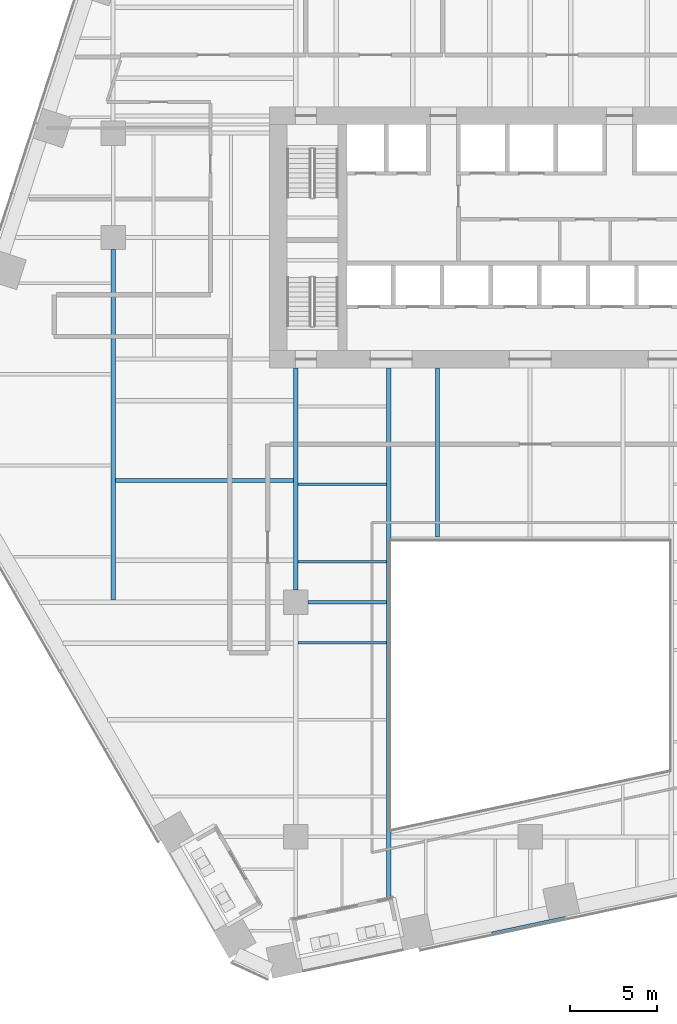
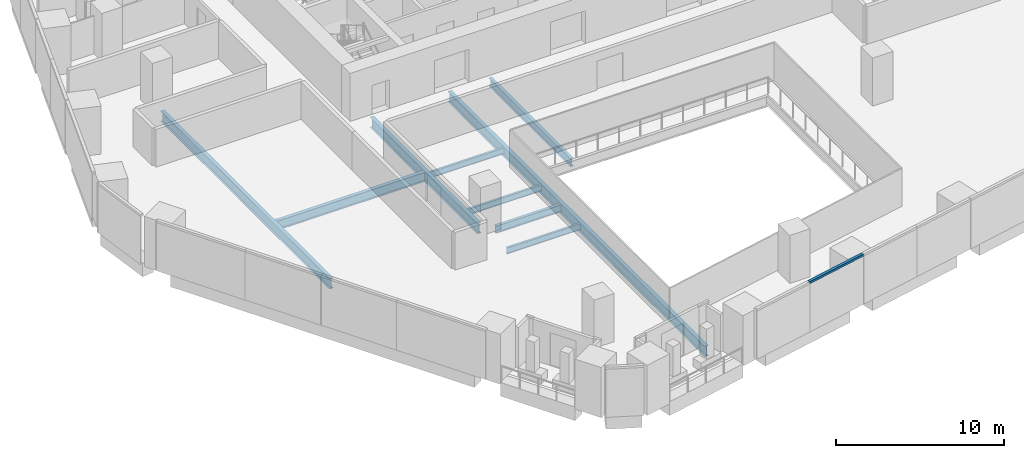
# One storey, part 4 of 28: 9 beams, 1 member, 1 element without a shape of its own.
"""IFC4 building model written with IfcOpenShell, lengths in metres."""

from ifc_helpers import new_model, si_unit, direction, frame, origin, origin_2d, place, context, subcontext, project, spatial, rectangle, i_section, extrude, material, layer, layer_set, material_profile, profile_set, type_object, element, aggregate, save


model = new_model("IFC4")

# Units and contexts
model_context = context("Model", 3, precision=1e-05, world=origin(), true_north=direction((0.0, 1.0)))
body_context = subcontext(model_context, "Body", "Model", "MODEL_VIEW")
ifc_project = project(units=[si_unit("LENGTHUNIT", "METRE"), si_unit("AREAUNIT", "SQUARE_METRE"), si_unit("VOLUMEUNIT", "CUBIC_METRE"), si_unit("PLANEANGLEUNIT", "RADIAN"), si_unit("MASSUNIT", "GRAM", prefix="KILO")], contexts=[model_context])

# Site, building, storey
site_placement = place(None, origin())
site = spatial("IfcSite", under=ifc_project, at=site_placement, CompositionType="ELEMENT")
building_placement = place(site_placement, origin())
building = spatial("IfcBuilding", under=site, at=building_placement, Name="Isthmus Gate Tower", CompositionType="ELEMENT")
storey_placement = place(building_placement, frame((0.0, 0.0, 68.85009765625)))
storey = spatial("IfcBuildingStorey", under=building, at=storey_placement, Name="L15", CompositionType="ELEMENT", Elevation=68.85009765625)

# Curtain wall, member
ifc_material_1 = material(Name="Aluminium, pale champagne anodised", Category="aluminium")
ifc_layer = layer(ifc_material_1, 0.199951171875)
ifc_layer_set = layer_set([ifc_layer], Name="CW-1 UNITISED CURTAIN WALL 200 DEEP")
curtain_wall_type = type_object("IfcCurtainWallType", Name="CW-1 UNITISED CURTAIN WALL 200 DEEP", PredefinedType="NOTDEFINED", material=ifc_layer_set)
curtain_wall_placement = place(storey_placement, origin())
curtain_wall = element("IfcCurtainWall", 1, at=curtain_wall_placement, inside=storey, type_object=curtain_wall_type, Name="CW-1 S L15", PredefinedType="NOTDEFINED")
ifc_material_2 = material(Name="Aluminium, pale champagne anodised", Category="aluminium")
ifc_material_profile_1 = material_profile(ifc_material_2, rectangle(XDim=0.199951171875, YDim=0.14990234375, at=origin_2d()), Name="200x150")
ifc_profile_set_1 = profile_set([ifc_material_profile_1], Name="Aluminium, pale champagne anodised")
member_type = type_object("IfcMemberType", Name="CW-1 TRANSOM 200 X 150", PredefinedType="USERDEFINED", material=ifc_profile_set_1)
member_placement = place(storey_placement, frame((-2.202392578125, -32.5703125, 3.574951171875), z_axis=(0.978152927092, 0.207886630695, 0.0), x_axis=(-0.207886630695, 0.978152927092, 0.0)))
member = element("IfcMember", 2, at=member_placement, type_object=member_type, Name="CW-1 transom", ObjectType="TRANSOM", PredefinedType="USERDEFINED", context=body_context, shape_type="SweptSolid", body=[
    extrude(rectangle(XDim=0.199951171875, YDim=0.14990234375, at=origin_2d()), origin(), (0.0, 0.0, 1.0), 4.294677734375),
])
aggregate(curtain_wall, [member])

# Beams
ifc_material_3 = material(Name="Structural steel ASTM A992 Gr 50", Category="steel")
ifc_material_profile_2 = material_profile(ifc_material_3, i_section(OverallWidth=0.15234375, OverallDepth=0.45068359375, WebThickness=0.0078125, FlangeThickness=0.010986328125, at=origin_2d()), Name="W18X35")
ifc_profile_set_2 = profile_set([ifc_material_profile_2], Name="Structural steel ASTM A992 Gr 50")
beam_type_1 = type_object("IfcBeamType", Name="STEEL FLOOR BEAM W18X35", PredefinedType="JOIST", material=ifc_profile_set_2)
for number, where, z_axis, x_axis, name in (
    (3, (-13.3681640625, -11.16259765625, -0.37548828125), (1.0, 0.0, 0.0), (0.0, 1.0, 0.0), "str-beam-L15-13-00"),
    (4, (-13.3681640625, -6.697509765625, -0.37548828125), (1.0, 0.0, 0.0), (0.0, 1.0, 0.0), "str-beam-L15-13-01"),
    (5, (-13.3681640625, -15.81982421875, -0.37548828125), (1.0, 0.0, 0.0), (0.0, 1.0, 0.0), "str-beam-L15-14-02"),
):
    element("IfcBeam", number, at=place(storey_placement, frame(where, z_axis=z_axis, x_axis=x_axis)), inside=storey, type_object=beam_type_1, Name=name, PredefinedType="JOIST", context=body_context, shape_type="SweptSolid", body=[
        extrude(i_section(OverallWidth=0.15234375, OverallDepth=0.45068359375, WebThickness=0.0078125, FlangeThickness=0.010986328125, at=origin_2d()), origin(), (0.0, 0.0, 1.0), 5.1015625),
    ])
ifc_material_4 = material(Name="Structural steel ASTM A992 Gr 50", Category="steel")
ifc_material_profile_3 = material_profile(ifc_material_4, i_section(OverallWidth=0.228515625, OverallDepth=0.603271484375, WebThickness=0.010986328125, FlangeThickness=0.014404296875, at=origin_2d()), Name="W24X68")
ifc_profile_set_3 = profile_set([ifc_material_profile_3], Name="Structural steel ASTM A992 Gr 50")
beam_type_2 = type_object("IfcBeamType", Name="STEEL FLOOR BEAM W24X68", PredefinedType="JOIST", material=ifc_profile_set_3)
beam_1_placement = place(storey_placement, frame((-5.333251953125, -9.7333984375, -0.45166015625), z_axis=(0.0, 1.0, 0.0), x_axis=(-1.0, 0.0, 0.0)))
element("IfcBeam", 6, at=beam_1_placement, inside=storey, type_object=beam_type_2, Name="str-beam-L15-20-00", PredefinedType="JOIST", context=body_context, shape_type="SweptSolid", body=[
    extrude(i_section(OverallWidth=0.228515625, OverallDepth=0.603271484375, WebThickness=0.010986328125, FlangeThickness=0.014404296875, at=origin_2d()), origin(), (0.0, 0.0, 1.0), 9.7333984375),
])
ifc_material_5 = material(Name="Structural steel ASTM A992 Gr 50", Category="steel")
ifc_material_profile_4 = material_profile(ifc_material_5, i_section(OverallWidth=0.25390625, OverallDepth=0.679443359375, WebThickness=0.010986328125, FlangeThickness=0.015869140625, at=origin_2d()), Name="W27X84")
ifc_profile_set_4 = profile_set([ifc_material_profile_4], Name="Structural steel ASTM A992 Gr 50")
beam_type_3 = type_object("IfcBeamType", Name="STEEL FLOOR BEAM W27X84", PredefinedType="JOIST", material=ifc_profile_set_4)
beam_2_placement = place(storey_placement, frame((-23.86669921875, -6.490478515625, -0.48974609375), z_axis=(1.0, 0.0, 0.0), x_axis=(0.0, 1.0, 0.0)))
element("IfcBeam", 7, at=beam_2_placement, inside=storey, type_object=beam_type_3, Name="str-beam-L15-07-01", PredefinedType="JOIST", context=body_context, shape_type="SweptSolid", body=[
    extrude(i_section(OverallWidth=0.25390625, OverallDepth=0.679443359375, WebThickness=0.010986328125, FlangeThickness=0.015869140625, at=origin_2d()), origin(), (0.0, 0.0, 1.0), 10.23486328125),
])
ifc_material_6 = material(Name="Structural steel ASTM A992 Gr 50", Category="steel")
ifc_material_profile_5 = material_profile(ifc_material_6, i_section(OverallWidth=0.20947265625, OverallDepth=0.533447265625, WebThickness=0.009521484375, FlangeThickness=0.015869140625, at=origin_2d()), Name="W21X62")
ifc_profile_set_5 = profile_set([ifc_material_profile_5], Name="Structural steel ASTM A992 Gr 50")
beam_type_4 = type_object("IfcBeamType", Name="STEEL GIRDER W21X62", PredefinedType="BEAM", material=ifc_profile_set_5)
beam_3_placement = place(storey_placement, frame((-12.800048828125, -13.5, -0.416748046875), z_axis=(1.0, 0.0, 0.0), x_axis=(0.0, 1.0, 0.0)))
element("IfcBeam", 8, at=beam_3_placement, inside=storey, type_object=beam_type_4, Name="str-girder-L15-06", PredefinedType="BEAM", context=body_context, shape_type="SweptSolid", body=[
    extrude(i_section(OverallWidth=0.20947265625, OverallDepth=0.533447265625, WebThickness=0.009521484375, FlangeThickness=0.015869140625, at=origin_2d()), origin(), (0.0, 0.0, 1.0), 4.533447265625),
])
ifc_material_7 = material(Name="Structural steel ASTM A992 Gr 50", Category="steel")
ifc_material_profile_6 = material_profile(ifc_material_7, i_section(OverallWidth=0.2666015625, OverallDepth=0.7587890625, WebThickness=0.014404296875, FlangeThickness=0.01904296875, at=origin_2d()), Name="W30X108")
ifc_profile_set_6 = profile_set([ifc_material_profile_6], Name="Structural steel ASTM A992 Gr 50")
beam_type_5 = type_object("IfcBeamType", Name="STEEL GIRDER W30X108", PredefinedType="BEAM", material=ifc_profile_set_6)
beam_4_placement = place(storey_placement, frame((-24.0, -13.36669921875, -0.529541015625), z_axis=(0.0, 1.0, 0.0), x_axis=(-1.0, 0.0, 0.0)))
element("IfcBeam", 9, at=beam_4_placement, inside=storey, type_object=beam_type_5, Name="str-girder-L15-20", PredefinedType="BEAM", context=body_context, shape_type="SweptSolid", body=[
    extrude(i_section(OverallWidth=0.2666015625, OverallDepth=0.7587890625, WebThickness=0.014404296875, FlangeThickness=0.01904296875, at=origin_2d()), origin(), (0.0, 0.0, 1.0), 20.166748046875),
])
ifc_material_8 = material(Name="Structural steel ASTM A992 Gr 50", Category="steel")
ifc_material_profile_7 = material_profile(ifc_material_8, i_section(OverallWidth=0.263427734375, OverallDepth=0.749267578125, WebThickness=0.0126953125, FlangeThickness=0.015869140625, at=origin_2d()), Name="W30X90")
ifc_profile_set_7 = profile_set([ifc_material_profile_7], Name="Structural steel ASTM A992 Gr 50")
beam_type_6 = type_object("IfcBeamType", Name="STEEL GIRDER W30X90", PredefinedType="BEAM", material=ifc_profile_set_7)
beam_5_placement = place(storey_placement, frame((-13.5, -12.800048828125, -0.524658203125), z_axis=(0.0, 1.0, 0.0), x_axis=(-1.0, 0.0, 0.0)))
element("IfcBeam", 10, at=beam_5_placement, inside=storey, type_object=beam_type_6, Name="str-girder-L15-25", PredefinedType="BEAM", context=body_context, shape_type="SweptSolid", body=[
    extrude(i_section(OverallWidth=0.263427734375, OverallDepth=0.749267578125, WebThickness=0.0126953125, FlangeThickness=0.015869140625, at=origin_2d()), origin(), (0.0, 0.0, 1.0), 12.800048828125),
])
ifc_material_9 = material(Name="Structural steel ASTM A992 Gr 50", Category="steel")
ifc_material_profile_8 = material_profile(ifc_material_9, i_section(OverallWidth=0.2666015625, OverallDepth=0.7587890625, WebThickness=0.014404296875, FlangeThickness=0.01904296875, at=origin_2d()), Name="W30X108")
ifc_profile_set_8 = profile_set([ifc_material_profile_8], Name="Structural steel ASTM A992 Gr 50")
beam_type_7 = type_object("IfcBeamType", Name="STEEL TRIMMER W30X108", PredefinedType="BEAM", material=ifc_profile_set_8)
beam_6_placement = place(storey_placement, frame((-8.13330078125, 0.0, -0.529541015625), z_axis=(0.0, -1.0, 0.0), x_axis=(1.0, 0.0, 0.0)))
element("IfcBeam", 11, at=beam_6_placement, inside=storey, type_object=beam_type_7, Name="str-trimmer-L15-02", PredefinedType="BEAM", context=body_context, shape_type="SweptSolid", body=[
    extrude(i_section(OverallWidth=0.2666015625, OverallDepth=0.7587890625, WebThickness=0.014404296875, FlangeThickness=0.01904296875, at=origin_2d()), origin(), (0.0, 0.0, 1.0), 30.661865234375),
])

save(model, "model.ifc")
